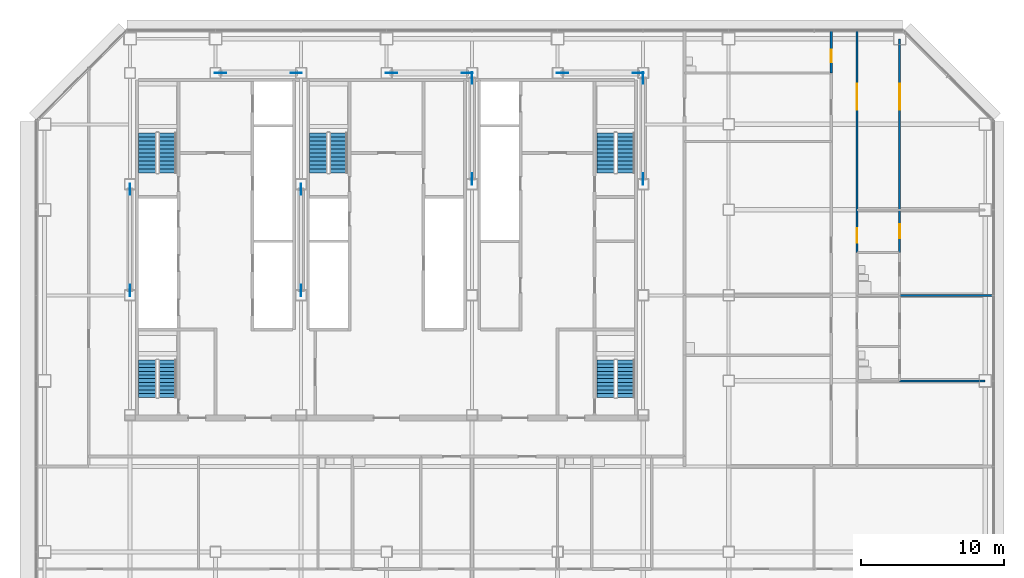
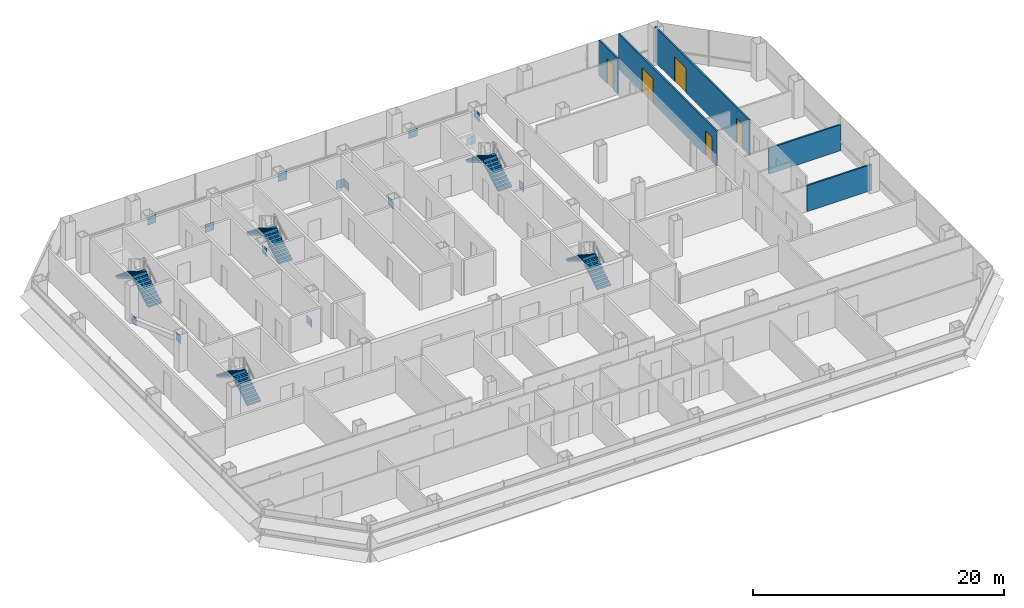
# One storey, part 24 of 26: 14 discrete accessories, 10 stair flights, 5 doors, 5 walls, 5 openings, 5 elements without a shape of their own.
"""IFC4 building model written with IfcOpenShell, lengths in metres."""

import ifcopenshell
import ifcopenshell.guid

model = None  # the IFC model being written
_history = None  # IfcOwnerHistory: only IFC2X3 demands one
_inside = {}  # id of a spatial element -> (the spatial element, [elements in it])
_under = {}  # id of a project, library or spatial element -> (it, [spatial elements below it])
_declared = {}  # id of a project -> (the project, [libraries it declares])
_typed = {}  # id of a type object -> (the type object, [elements of that type])
_made_of = {}  # id of a material, layer set ... -> (it, [elements and type objects made of it])


def new_model(schema):
    """Start an empty IFC model of exactly this schema.

    Asked for "IFC4X3", IfcOpenShell would pick the latest addendum, in which some entities
    have other attributes; the version numbers below select the first issue.
    IFC2X3 requires an IfcOwnerHistory on every rooted entity: one is made here for all.
    """
    global model, _history
    if schema == "IFC4X3":
        model = ifcopenshell.file(schema_version=(4, 3, 0, 0))
    else:
        model = ifcopenshell.file(schema=schema)
    _inside.clear()
    _under.clear()
    _declared.clear()
    _typed.clear()
    _made_of.clear()
    _history = None
    if model.schema == "IFC2X3":
        org = make("IfcOrganization", Name="unknown")
        user = make(
            "IfcPersonAndOrganization",
            ThePerson=make("IfcPerson", FamilyName="unknown"),
            TheOrganization=org,
        )
        app = make(
            "IfcApplication",
            ApplicationDeveloper=org,
            Version="unknown",
            ApplicationFullName="unknown",
            ApplicationIdentifier="unknown",
        )
        _history = make(
            "IfcOwnerHistory",
            OwningUser=user,
            OwningApplication=app,
            ChangeAction="ADDED",
            CreationDate=0,
        )
    return model


def make(cls, **values):
    """One entity of the class cls with the attributes given. An attribute that is None is left unset."""
    return model.create_entity(
        cls, **{name: value for name, value in values.items() if value is not None}
    )


def rooted(cls, **values):
    """An entity with a GlobalId (a new one), such as an element, a storey or a relation."""
    return make(cls, GlobalId=ifcopenshell.guid.new(), OwnerHistory=_history, **values)


def si_unit(unit_type, name, prefix=None):
    """IfcSIUnit, for example si_unit("LENGTHUNIT", "METRE", prefix="MILLI")."""
    return make("IfcSIUnit", UnitType=unit_type, Prefix=prefix, Name=name)


def assignment(units):
    """IfcUnitAssignment: the units of a project."""
    return None if units is None else make("IfcUnitAssignment", Units=units)


def point(xyz):
    """IfcCartesianPoint."""
    return None if xyz is None else make("IfcCartesianPoint", Coordinates=xyz)


def direction(xyz):
    """IfcDirection."""
    return None if xyz is None else make("IfcDirection", DirectionRatios=xyz)


def frame(location, z_axis=None, x_axis=None):
    """IfcAxis2Placement3D, a coordinate frame: its origin and axes. An axis left out is left unset."""
    return make(
        "IfcAxis2Placement3D",
        Location=point(location),
        Axis=direction(z_axis),
        RefDirection=direction(x_axis),
    )


def frame_2d(location, x_axis=None):
    """IfcAxis2Placement2D, a coordinate frame in the plane: its origin and x axis."""
    return make(
        "IfcAxis2Placement2D", Location=point(location), RefDirection=direction(x_axis)
    )


def origin():
    """The frame at (0, 0, 0) with its axes left unset."""
    return frame((0.0, 0.0, 0.0))


def origin_2d():
    """The frame at (0, 0) in the plane with its x axis left unset."""
    return frame_2d((0.0, 0.0))


def place(relative_to, where):
    """IfcLocalPlacement: puts the frame where relative to a parent placement (None: the world)."""
    return make(
        "IfcLocalPlacement", PlacementRelTo=relative_to, RelativePlacement=where
    )


def context(
    kind, dimensions, precision=None, world=None, true_north=None, identifier=None
):
    """IfcGeometricRepresentationContext, for example the 3D "Model" context."""
    return make(
        "IfcGeometricRepresentationContext",
        ContextIdentifier=identifier,
        ContextType=kind,
        CoordinateSpaceDimension=dimensions,
        Precision=precision,
        WorldCoordinateSystem=world,
        TrueNorth=true_north,
    )


def subcontext(parent, identifier, kind, view, scale=None):
    """IfcGeometricRepresentationSubContext, for example "Body" below "Model"."""
    return make(
        "IfcGeometricRepresentationSubContext",
        ContextIdentifier=identifier,
        ContextType=kind,
        ParentContext=parent,
        TargetScale=scale,
        TargetView=view,
    )


def project(units=None, contexts=None):
    """IfcProject with its units and contexts."""
    return rooted(
        "IfcProject",
        Name="project",
        RepresentationContexts=contexts,
        UnitsInContext=assignment(units),
    )


def spatial(cls, under=None, at=None, **own):
    """A site, building, storey or space (cls), placed at a placement, below another one or the project."""
    s = rooted(cls, ObjectPlacement=at, **own)
    if under is not None:
        _under.setdefault(under.id(), (under, []))[1].append(s)
    return s


def polyline(points):
    """IfcPolyline through the points."""
    return make("IfcPolyline", Points=[point(p) for p in points])


def profile(cls, at=None, kind="AREA", **sizes):
    """A parametric profile (cls). Its sizes go by their IFC names, for example OverallWidth=200.0."""
    return make(cls, ProfileType=kind, Position=at, **sizes)


def rectangle(**sizes):
    """IfcRectangleProfileDef."""
    return profile("IfcRectangleProfileDef", **sizes)


def outline(outer, holes=None, kind="AREA"):
    """IfcArbitraryClosedProfileDef: a profile drawn as a closed curve; with holes, ...WithVoids."""
    if holes is None:
        return make("IfcArbitraryClosedProfileDef", ProfileType=kind, OuterCurve=outer)
    return make(
        "IfcArbitraryProfileDefWithVoids",
        ProfileType=kind,
        OuterCurve=outer,
        InnerCurves=holes,
    )


def extrude(swept, where, along, depth):
    """IfcExtrudedAreaSolid: the profile swept, set in the frame where, extruded along a direction by depth."""
    return make(
        "IfcExtrudedAreaSolid",
        SweptArea=swept,
        Position=where,
        ExtrudedDirection=direction(along),
        Depth=depth,
    )


def shape(context_of_items, identifier, shape_type, items):
    """IfcShapeRepresentation: the items that make up one representation, for example the "Body"."""
    return make(
        "IfcShapeRepresentation",
        ContextOfItems=context_of_items,
        RepresentationIdentifier=identifier,
        RepresentationType=shape_type,
        Items=items,
    )


def material(Name=None, Category=None):
    """IfcMaterial."""
    return make("IfcMaterial", Name=Name, Category=Category)


def layer(
    of_material, thickness, ventilated=None, Name=None, Category=None, Priority=None
):
    """IfcMaterialLayer: one layer of a wall or slab, of a material (None: an air gap)."""
    return make(
        "IfcMaterialLayer",
        Material=of_material,
        LayerThickness=thickness,
        IsVentilated=ventilated,
        Name=Name,
        Category=Category,
        Priority=Priority,
    )


def layer_set(layers, Name=None):
    """IfcMaterialLayerSet."""
    return make("IfcMaterialLayerSet", MaterialLayers=layers, LayerSetName=Name)


def made_of(thing, what):
    """Note that an element or type object is made of a material, layer set ...; save() writes the relation."""
    if what is not None:
        _made_of.setdefault(what.id(), (what, []))[1].append(thing)
    return thing


def type_object(cls, material=None, **own):
    """A type object (cls), such as IfcWallType, which elements share."""
    return made_of(rooted(cls, **own), material)


def element(
    cls,
    number,
    at=None,
    inside=None,
    cuts=None,
    type_object=None,
    material=None,
    context=None,
    identifier="Body",
    shape_type=None,
    held_by="IfcProductDefinitionShape",
    body=None,
    shapes=None,
    **own,
):
    """One element of the class cls, such as IfcWall. Its Tag is "e" and its number.

    at: its placement. inside: the storey or other place that contains it. cuts: it is an
    opening in that element (IfcRelVoidsElement). A single representation is given by context,
    identifier, shape_type and body (its items); several are given by shapes. held_by: the class
    of the entity that holds the representations. save() writes the other relations.
    """
    e = rooted(cls, Tag="e%d" % number, ObjectPlacement=at, **own)
    if body is not None:
        shapes = [shape(context, identifier, shape_type, body)]
    if shapes is not None:
        e.Representation = make(held_by, Representations=shapes)
    if inside is not None:
        _inside.setdefault(inside.id(), (inside, []))[1].append(e)
    if cuts is not None:
        rooted(
            "IfcRelVoidsElement", RelatingBuildingElement=cuts, RelatedOpeningElement=e
        )
    if type_object is not None:
        _typed.setdefault(type_object.id(), (type_object, []))[1].append(e)
    return made_of(e, material)


def fill(opening, filler):
    """IfcRelFillsElement: the door or window that sits in an opening."""
    return rooted(
        "IfcRelFillsElement",
        RelatingOpeningElement=opening,
        RelatedBuildingElement=filler,
    )


def aggregate(whole, parts):
    """IfcRelAggregates: a whole, such as a stair, and the parts it consists of."""
    return rooted("IfcRelAggregates", RelatingObject=whole, RelatedObjects=parts)


def save(model, path):
    """Write the relations noted so far, then the file.

    IfcRelAggregates (storeys below a building ...), IfcRelContainedInSpatialStructure (elements
    in a storey), IfcRelDefinesByType, IfcRelAssociatesMaterial and IfcRelDeclares: one each for
    every whole, place, type object, material and project.
    """
    for whole, parts in _under.values():
        aggregate(whole, parts)
    for where, things in _inside.values():
        rooted(
            "IfcRelContainedInSpatialStructure",
            RelatedElements=things,
            RelatingStructure=where,
        )
    for kind, things in _typed.values():
        rooted("IfcRelDefinesByType", RelatedObjects=things, RelatingType=kind)
    for what, things in _made_of.values():
        rooted("IfcRelAssociatesMaterial", RelatedObjects=things, RelatingMaterial=what)
    for by, libraries in _declared.values():
        rooted("IfcRelDeclares", RelatingContext=by, RelatedDefinitions=libraries)
    model.write(path)


model = new_model("IFC4")

# Units and contexts
model_context = context("Model", 3, precision=1e-05, world=origin(), true_north=direction((0.0, 1.0)))
body_context = subcontext(model_context, "Body", "Model", "MODEL_VIEW")
ifc_project = project(units=[si_unit("LENGTHUNIT", "METRE"), si_unit("AREAUNIT", "SQUARE_METRE"), si_unit("VOLUMEUNIT", "CUBIC_METRE"), si_unit("PLANEANGLEUNIT", "RADIAN"), si_unit("MASSUNIT", "GRAM", prefix="KILO")], contexts=[model_context])

# Site, building, storey
site_placement = place(None, origin())
site = spatial("IfcSite", under=ifc_project, at=site_placement, CompositionType="ELEMENT")
building_placement = place(site_placement, origin())
building = spatial("IfcBuilding", under=site, at=building_placement, Name="Sorahane Residences", CompositionType="ELEMENT")
storey_placement = place(building_placement, frame((0.0, 0.0, 67.800048828125)))
storey = spatial("IfcBuildingStorey", under=building, at=storey_placement, Name="L13", CompositionType="ELEMENT", Elevation=67.800048828125)

# Wall, openings, doors
ifc_material_1 = material(Name="Gypsum board partition on steel studs", Category="steel")
ifc_layer_1 = layer(ifc_material_1, 0.14990234375)
ifc_layer_set_1 = layer_set([ifc_layer_1], Name="Partition 150 EI 90")
wall_type_1 = type_object("IfcWallType", Name="Partition 150 EI 90", PredefinedType="PARTITIONING", material=ifc_layer_set_1)
wall_1_placement = place(storey_placement, frame((57.0, 33.0, 0.0), z_axis=(0.0, 0.0, 1.0), x_axis=(0.0, 1.0, 0.0)))
wall_1 = element("IfcWall", 1, at=wall_1_placement, inside=storey, type_object=wall_type_1, Name="L13 partition", PredefinedType="PARTITIONING", context=body_context, shape_type="SweptSolid", body=[
    extrude(rectangle(XDim=15.60009765625, YDim=0.14990234375, at=frame_2d((7.800048828125, 0.0))), origin(), (0.0, 0.0, 1.0), 3.419921875),
])
opening_1_placement = place(wall_1_placement, frame((0.699951171875, 0.0, 0.0)))
opening_1 = element("IfcOpeningElement", 2, at=opening_1_placement, cuts=wall_1, Name="Opening L13-35", PredefinedType="OPENING", context=body_context, shape_type="SweptSolid", body=[
    extrude(rectangle(XDim=1.0, YDim=2.39990234375, at=frame_2d((0.5, 1.199951171875))), frame((0.0, 0.0849609375, 0.0), z_axis=(0.0, -1.0, 0.0), x_axis=(1.0, 0.0, 0.0)), (0.0, 0.0, 1.0), 0.169921875),
])
opening_2_placement = place(wall_1_placement, frame((10.0400390625, 0.0, 0.0)))
opening_2 = element("IfcOpeningElement", 3, at=opening_2_placement, cuts=wall_1, Name="Opening L13-36", PredefinedType="OPENING", context=body_context, shape_type="SweptSolid", body=[
    extrude(rectangle(XDim=1.800048828125, YDim=2.39990234375, at=frame_2d((0.89990234375, 1.199951171875))), frame((0.0, 0.0849609375, 0.0), z_axis=(0.0, -1.0, 0.0), x_axis=(1.0, 0.0, 0.0)), (0.0, 0.0, 1.0), 0.169921875),
])
ifc_material_2 = material(Name="Timber veneered fire door", Category="wood")
door_type_1 = type_object("IfcDoorType", Name="Double door 1800x2400 FD30", OperationType="NOTDEFINED", PredefinedType="DOOR", material=ifc_material_2)
door_1_placement = place(opening_2_placement, frame((1.800048828125, 0.0, 0.0), z_axis=(0.0, 0.0, 1.0), x_axis=(-1.0, 0.0, 0.0)))
door_1 = element("IfcDoor", 4, at=door_1_placement, inside=storey, type_object=door_type_1, Name="Double door L13-36", OperationType="SINGLE_SWING_RIGHT", OverallHeight=2.39990234375, OverallWidth=1.800048828125, PredefinedType="DOOR", context=body_context, shape_type="SweptSolid", body=[
    extrude(rectangle(XDim=1.800048828125, YDim=2.39990234375, at=frame_2d((0.89990234375, 1.199951171875))), frame((0.0, 0.02490234375, 0.0), z_axis=(0.0, -1.0, 0.0), x_axis=(1.0, 0.0, 0.0)), (0.0, 0.0, 1.0), 0.050048828125),
])
fill(opening_2, door_1)
ifc_material_3 = material(Name="Timber veneered fire door", Category="wood")
door_type_2 = type_object("IfcDoorType", Name="Room door 1000x2400 FD30", OperationType="NOTDEFINED", PredefinedType="DOOR", material=ifc_material_3)
door_2_placement = place(opening_1_placement, frame((1.0, 0.0, 0.0), z_axis=(0.0, 0.0, 1.0), x_axis=(-1.0, 0.0, 0.0)))
door_2 = element("IfcDoor", 5, at=door_2_placement, inside=storey, type_object=door_type_2, Name="Room door L13-35", OperationType="SINGLE_SWING_LEFT", OverallHeight=2.39990234375, OverallWidth=1.0, PredefinedType="DOOR", context=body_context, shape_type="SweptSolid", body=[
    extrude(rectangle(XDim=1.0, YDim=2.39990234375, at=frame_2d((0.5, 1.199951171875))), frame((0.0, 0.02490234375, 0.0), z_axis=(0.0, -1.0, 0.0), x_axis=(1.0, 0.0, 0.0)), (0.0, 0.0, 1.0), 0.050048828125),
])
fill(opening_1, door_2)

wall_2_placement = place(storey_placement, frame((60.0, 33.0, 0.0), z_axis=(0.0, 0.0, 1.0), x_axis=(0.0, 1.0, 0.0)))
wall_2 = element("IfcWall", 6, at=wall_2_placement, inside=storey, type_object=wall_type_1, Name="L13 partition", PredefinedType="PARTITIONING", context=body_context, shape_type="SweptSolid", body=[
    extrude(rectangle(XDim=15.0, YDim=0.14990234375, at=frame_2d((7.5, 0.0))), origin(), (0.0, 0.0, 1.0), 3.419921875),
])
opening_3_placement = place(wall_2_placement, frame((1.0, 0.0, 0.0)))
opening_3 = element("IfcOpeningElement", 7, at=opening_3_placement, cuts=wall_2, Name="Opening L13-39", PredefinedType="OPENING", context=body_context, shape_type="SweptSolid", body=[
    extrude(rectangle(XDim=1.0, YDim=2.39990234375, at=frame_2d((0.5, 1.199951171875))), frame((0.0, 0.0849609375, 0.0), z_axis=(0.0, -1.0, 0.0), x_axis=(1.0, 0.0, 0.0)), (0.0, 0.0, 1.0), 0.169921875),
])
opening_4_placement = place(wall_2_placement, frame((10.0400390625, 0.0, 0.0)))
opening_4 = element("IfcOpeningElement", 8, at=opening_4_placement, cuts=wall_2, Name="Opening L13-41", PredefinedType="OPENING", context=body_context, shape_type="SweptSolid", body=[
    extrude(rectangle(XDim=1.800048828125, YDim=2.39990234375, at=frame_2d((0.89990234375, 1.199951171875))), frame((0.0, 0.0849609375, 0.0), z_axis=(0.0, -1.0, 0.0), x_axis=(1.0, 0.0, 0.0)), (0.0, 0.0, 1.0), 0.169921875),
])
door_3_placement = place(opening_4_placement, frame((1.800048828125, 0.0, 0.0), z_axis=(0.0, 0.0, 1.0), x_axis=(-1.0, 0.0, 0.0)))
door_3 = element("IfcDoor", 9, at=door_3_placement, inside=storey, type_object=door_type_1, Name="Double door L13-41", OperationType="SINGLE_SWING_LEFT", OverallHeight=2.39990234375, OverallWidth=1.800048828125, PredefinedType="DOOR", context=body_context, shape_type="SweptSolid", body=[
    extrude(rectangle(XDim=1.800048828125, YDim=2.39990234375, at=frame_2d((0.89990234375, 1.199951171875))), frame((0.0, 0.02490234375, 0.0), z_axis=(0.0, -1.0, 0.0), x_axis=(1.0, 0.0, 0.0)), (0.0, 0.0, 1.0), 0.050048828125),
])
fill(opening_4, door_3)
door_4_placement = place(opening_3_placement, frame((1.0, 0.0, 0.0), z_axis=(0.0, 0.0, 1.0), x_axis=(-1.0, 0.0, 0.0)))
door_4 = element("IfcDoor", 10, at=door_4_placement, inside=storey, type_object=door_type_2, Name="Room door L13-39", OperationType="SINGLE_SWING_LEFT", OverallHeight=2.39990234375, OverallWidth=1.0, PredefinedType="DOOR", context=body_context, shape_type="SweptSolid", body=[
    extrude(rectangle(XDim=1.0, YDim=2.39990234375, at=frame_2d((0.5, 1.199951171875))), frame((0.0, 0.02490234375, 0.0), z_axis=(0.0, -1.0, 0.0), x_axis=(1.0, 0.0, 0.0)), (0.0, 0.0, 1.0), 0.050048828125),
])
fill(opening_3, door_4)

# Walls
wall_3_placement = place(storey_placement, frame((60.0, 24.0, 0.0), z_axis=(0.0, 0.0, 1.0), x_axis=(1.0, 0.0, 0.0)))
element("IfcWall", 11, at=wall_3_placement, inside=storey, type_object=wall_type_1, Name="L13 partition", PredefinedType="PARTITIONING", context=body_context, shape_type="SweptSolid", body=[
    extrude(rectangle(XDim=6.0, YDim=0.14990234375, at=frame_2d((3.0, 0.0))), origin(), (0.0, 0.0, 1.0), 2.52001953125),
])
wall_4_placement = place(storey_placement, frame((60.0, 30.0, 0.0), z_axis=(0.0, 0.0, 1.0), x_axis=(1.0, 0.0, 0.0)))
element("IfcWall", 12, at=wall_4_placement, inside=storey, type_object=wall_type_1, Name="L13 partition", PredefinedType="PARTITIONING", context=body_context, shape_type="SweptSolid", body=[
    extrude(rectangle(XDim=6.60009765625, YDim=0.14990234375, at=frame_2d((3.300048828125, 0.0))), origin(), (0.0, 0.0, 1.0), 2.52001953125),
])

# Wall, opening, door
ifc_material_4 = material(Name="Gypsum board partition on steel studs", Category="steel")
ifc_layer_2 = layer(ifc_material_4, 0.14990234375)
ifc_layer_set_2 = layer_set([ifc_layer_2], Name="Wet wall 150 EI 90")
wall_type_2 = type_object("IfcWallType", Name="Wet wall 150 EI 90", PredefinedType="PARTITIONING", material=ifc_layer_set_2)
wall_5_placement = place(storey_placement, frame((55.199951171875, 45.60009765625, 0.0), z_axis=(0.0, 0.0, 1.0), x_axis=(0.0, 1.0, 0.0)))
wall_5 = element("IfcWall", 13, at=wall_5_placement, inside=storey, type_object=wall_type_2, Name="L13 wet wall", PredefinedType="PARTITIONING", context=body_context, shape_type="SweptSolid", body=[
    extrude(rectangle(XDim=3.0, YDim=0.14990234375, at=frame_2d((1.5, 0.0))), origin(), (0.0, 0.0, 1.0), 3.419921875),
])
opening_5_placement = place(wall_5_placement, frame((0.75, 0.0, 0.0)))
opening_5 = element("IfcOpeningElement", 14, at=opening_5_placement, cuts=wall_5, Name="Opening L13-32", PredefinedType="OPENING", context=body_context, shape_type="SweptSolid", body=[
    extrude(rectangle(XDim=0.89990234375, YDim=2.39990234375, at=frame_2d((0.449951171875, 1.199951171875))), frame((0.0, 0.0849609375, 0.0), z_axis=(0.0, -1.0, 0.0), x_axis=(1.0, 0.0, 0.0)), (0.0, 0.0, 1.0), 0.169921875),
])
ifc_material_5 = material(Name="Timber veneered fire door", Category="wood")
door_type_3 = type_object("IfcDoorType", Name="Bathroom door 900x2400 FD30", OperationType="NOTDEFINED", PredefinedType="DOOR", material=ifc_material_5)
door_5_placement = place(opening_5_placement, frame((0.89990234375, 0.0, 0.0), z_axis=(0.0, 0.0, 1.0), x_axis=(-1.0, 0.0, 0.0)))
door_5 = element("IfcDoor", 15, at=door_5_placement, inside=storey, type_object=door_type_3, Name="Bathroom door L13-32", OperationType="SINGLE_SWING_LEFT", OverallHeight=2.39990234375, OverallWidth=0.89990234375, PredefinedType="DOOR", context=body_context, shape_type="SweptSolid", body=[
    extrude(rectangle(XDim=0.89990234375, YDim=2.39990234375, at=frame_2d((0.449951171875, 1.199951171875))), frame((0.0, 0.02490234375, 0.0), z_axis=(0.0, -1.0, 0.0), x_axis=(1.0, 0.0, 0.0)), (0.0, 0.0, 1.0), 0.050048828125),
])
fill(opening_5, door_5)

# Stair, stair flights
ifc_material_6 = material(Name="Concrete C40", Category="concrete")
stair_type = type_object("IfcStairType", Name="Dog-leg stair 1250 Concrete C40", PredefinedType="HALF_TURN_STAIR", material=ifc_material_6)
stair_1_placement = place(storey_placement, origin())
stair_1 = element("IfcStair", 16, at=stair_1_placement, inside=storey, type_object=stair_type, Name="L13 Stair S1", PredefinedType="HALF_TURN_STAIR")
ifc_material_7 = material(Name="Concrete C40", Category="concrete")
stair_flight_type = type_object("IfcStairFlightType", Name="Stair flight 1250 Concrete C40", PredefinedType="STRAIGHT", material=ifc_material_7)
stair_flight_1_placement = place(storey_placement, frame((8.625, 38.60009765625, 0.0), z_axis=(0.0, 0.0, 1.0), x_axis=(0.0, 1.0, 0.0)))
stair_flight_1 = element("IfcStairFlight", 17, at=stair_flight_1_placement, type_object=stair_flight_type, Name="S1 flight 1", NumberOfRisers=11, NumberOfTreads=10, PredefinedType="STRAIGHT", RiserHeight=0.163636364, TreadLength=0.28, context=body_context, shape_type="SweptSolid", body=[
    extrude(outline(polyline([(-0.00146484375, 0.0), (-0.00146484375, 0.16357421875), (0.0, 0.16357421875), (0.280029296875, 0.16357421875), (0.280029296875, 0.327392578125), (0.56005859375, 0.327392578125), (0.56005859375, 0.490966796875), (0.840087890625, 0.490966796875), (0.840087890625, 0.654541015625), (1.1201171875, 0.654541015625), (1.1201171875, 0.818115234375), (1.39990234375, 0.818115234375), (1.39990234375, 0.98193359375), (1.679931640625, 0.98193359375), (1.679931640625, 1.1455078125), (1.9599609375, 1.1455078125), (1.9599609375, 1.30908203125), (2.239990234375, 1.30908203125), (2.239990234375, 1.47265625), (2.52001953125, 1.47265625), (2.52001953125, 1.636474609375), (2.800048828125, 1.636474609375), (2.800048828125, 1.800048828125), (2.800048828125, 1.462646484375), (2.59130859375, 1.3408203125), (2.3828125, 1.218994140625), (2.17431640625, 1.09716796875), (1.965576171875, 0.97509765625), (1.757080078125, 0.853271484375), (1.548583984375, 0.7314453125), (1.340087890625, 0.609375), (1.13134765625, 0.487548828125), (0.9228515625, 0.36572265625), (0.71435546875, 0.243896484375), (0.505615234375, 0.121826171875), (0.297119140625, 0.0), (-0.00146484375, 0.0)])), frame((0.0, 0.625, 0.0), z_axis=(0.0, -1.0, 0.0), x_axis=(1.0, 0.0, 0.0)), (0.0, 0.0, 1.0), 1.25),
])
stair_flight_2_placement = place(storey_placement, frame((7.22509765625, 41.39990234375, 1.800048828125), z_axis=(0.0, 0.0, 1.0), x_axis=(0.0, -1.0, 0.0)))
stair_flight_2 = element("IfcStairFlight", 18, at=stair_flight_2_placement, type_object=stair_flight_type, Name="S1 flight 2", NumberOfRisers=11, NumberOfTreads=10, PredefinedType="STRAIGHT", RiserHeight=0.163636364, TreadLength=0.28, context=body_context, shape_type="SweptSolid", body=[
    extrude(outline(polyline([(0.0, 0.0), (0.0, 0.16357421875), (0.280029296875, 0.16357421875), (0.280029296875, 0.327392578125), (0.56005859375, 0.327392578125), (0.56005859375, 0.490966796875), (0.840087890625, 0.490966796875), (0.840087890625, 0.654541015625), (1.1201171875, 0.654541015625), (1.1201171875, 0.818115234375), (1.39990234375, 0.818115234375), (1.39990234375, 0.98193359375), (1.679931640625, 0.98193359375), (1.679931640625, 1.1455078125), (1.9599609375, 1.1455078125), (1.9599609375, 1.30908203125), (2.239990234375, 1.30908203125), (2.239990234375, 1.47265625), (2.52001953125, 1.47265625), (2.52001953125, 1.636474609375), (2.800048828125, 1.636474609375), (2.800048828125, 1.800048828125), (2.801513671875, 1.800048828125), (2.801513671875, 1.462646484375), (2.5927734375, 1.3408203125), (2.384033203125, 1.218994140625), (2.17529296875, 1.09716796875), (1.966796875, 0.97509765625), (1.758056640625, 0.853271484375), (1.54931640625, 0.7314453125), (1.340576171875, 0.609375), (1.1318359375, 0.487548828125), (0.923095703125, 0.36572265625), (0.714599609375, 0.243896484375), (0.505859375, 0.121826171875), (0.297119140625, 0.0), (0.0, 0.0)])), frame((0.0, 0.625, 0.0), z_axis=(0.0, -1.0, 0.0), x_axis=(1.0, 0.0, 0.0)), (0.0, 0.0, 1.0), 1.25),
])
aggregate(stair_1, [stair_flight_1, stair_flight_2])

stair_2_placement = place(storey_placement, origin())
stair_2 = element("IfcStair", 19, at=stair_2_placement, inside=storey, type_object=stair_type, Name="L13 Stair S2", PredefinedType="HALF_TURN_STAIR")
stair_flight_3_placement = place(storey_placement, frame((40.77490234375, 38.60009765625, 0.0), z_axis=(0.0, 0.0, 1.0), x_axis=(0.0, 1.0, 0.0)))
stair_flight_3 = element("IfcStairFlight", 20, at=stair_flight_3_placement, type_object=stair_flight_type, Name="S2 flight 1", NumberOfRisers=11, NumberOfTreads=10, PredefinedType="STRAIGHT", RiserHeight=0.163636364, TreadLength=0.28, context=body_context, shape_type="SweptSolid", body=[
    extrude(outline(polyline([(-0.00146484375, 0.0), (-0.00146484375, 0.16357421875), (0.0, 0.16357421875), (0.280029296875, 0.16357421875), (0.280029296875, 0.327392578125), (0.56005859375, 0.327392578125), (0.56005859375, 0.490966796875), (0.840087890625, 0.490966796875), (0.840087890625, 0.654541015625), (1.1201171875, 0.654541015625), (1.1201171875, 0.818115234375), (1.39990234375, 0.818115234375), (1.39990234375, 0.98193359375), (1.679931640625, 0.98193359375), (1.679931640625, 1.1455078125), (1.9599609375, 1.1455078125), (1.9599609375, 1.30908203125), (2.239990234375, 1.30908203125), (2.239990234375, 1.47265625), (2.52001953125, 1.47265625), (2.52001953125, 1.636474609375), (2.800048828125, 1.636474609375), (2.800048828125, 1.800048828125), (2.800048828125, 1.462646484375), (2.59130859375, 1.3408203125), (2.3828125, 1.218994140625), (2.17431640625, 1.09716796875), (1.965576171875, 0.97509765625), (1.757080078125, 0.853271484375), (1.548583984375, 0.7314453125), (1.340087890625, 0.609375), (1.13134765625, 0.487548828125), (0.9228515625, 0.36572265625), (0.71435546875, 0.243896484375), (0.505615234375, 0.121826171875), (0.297119140625, 0.0), (-0.00146484375, 0.0)])), frame((0.0, 0.625, 0.0), z_axis=(0.0, -1.0, 0.0), x_axis=(1.0, 0.0, 0.0)), (0.0, 0.0, 1.0), 1.25),
])
stair_flight_4_placement = place(storey_placement, frame((39.375, 41.39990234375, 1.800048828125), z_axis=(0.0, 0.0, 1.0), x_axis=(0.0, -1.0, 0.0)))
stair_flight_4 = element("IfcStairFlight", 21, at=stair_flight_4_placement, type_object=stair_flight_type, Name="S2 flight 2", NumberOfRisers=11, NumberOfTreads=10, PredefinedType="STRAIGHT", RiserHeight=0.163636364, TreadLength=0.28, context=body_context, shape_type="SweptSolid", body=[
    extrude(outline(polyline([(0.0, 0.0), (0.0, 0.16357421875), (0.280029296875, 0.16357421875), (0.280029296875, 0.327392578125), (0.56005859375, 0.327392578125), (0.56005859375, 0.490966796875), (0.840087890625, 0.490966796875), (0.840087890625, 0.654541015625), (1.1201171875, 0.654541015625), (1.1201171875, 0.818115234375), (1.39990234375, 0.818115234375), (1.39990234375, 0.98193359375), (1.679931640625, 0.98193359375), (1.679931640625, 1.1455078125), (1.9599609375, 1.1455078125), (1.9599609375, 1.30908203125), (2.239990234375, 1.30908203125), (2.239990234375, 1.47265625), (2.52001953125, 1.47265625), (2.52001953125, 1.636474609375), (2.800048828125, 1.636474609375), (2.800048828125, 1.800048828125), (2.801513671875, 1.800048828125), (2.801513671875, 1.462646484375), (2.5927734375, 1.3408203125), (2.384033203125, 1.218994140625), (2.17529296875, 1.09716796875), (1.966796875, 0.97509765625), (1.758056640625, 0.853271484375), (1.54931640625, 0.7314453125), (1.340576171875, 0.609375), (1.1318359375, 0.487548828125), (0.923095703125, 0.36572265625), (0.714599609375, 0.243896484375), (0.505859375, 0.121826171875), (0.297119140625, 0.0), (0.0, 0.0)])), frame((0.0, 0.625, 0.0), z_axis=(0.0, -1.0, 0.0), x_axis=(1.0, 0.0, 0.0)), (0.0, 0.0, 1.0), 1.25),
])
aggregate(stair_2, [stair_flight_3, stair_flight_4])

stair_3_placement = place(storey_placement, origin())
stair_3 = element("IfcStair", 22, at=stair_3_placement, inside=storey, type_object=stair_type, Name="L13 Stair S3", PredefinedType="HALF_TURN_STAIR")
stair_flight_5_placement = place(storey_placement, frame((20.625, 38.60009765625, 0.0), z_axis=(0.0, 0.0, 1.0), x_axis=(0.0, 1.0, 0.0)))
stair_flight_5 = element("IfcStairFlight", 23, at=stair_flight_5_placement, type_object=stair_flight_type, Name="S3 flight 1", NumberOfRisers=11, NumberOfTreads=10, PredefinedType="STRAIGHT", RiserHeight=0.163636364, TreadLength=0.28, context=body_context, shape_type="SweptSolid", body=[
    extrude(outline(polyline([(-0.00146484375, 0.0), (-0.00146484375, 0.16357421875), (0.0, 0.16357421875), (0.280029296875, 0.16357421875), (0.280029296875, 0.327392578125), (0.56005859375, 0.327392578125), (0.56005859375, 0.490966796875), (0.840087890625, 0.490966796875), (0.840087890625, 0.654541015625), (1.1201171875, 0.654541015625), (1.1201171875, 0.818115234375), (1.39990234375, 0.818115234375), (1.39990234375, 0.98193359375), (1.679931640625, 0.98193359375), (1.679931640625, 1.1455078125), (1.9599609375, 1.1455078125), (1.9599609375, 1.30908203125), (2.239990234375, 1.30908203125), (2.239990234375, 1.47265625), (2.52001953125, 1.47265625), (2.52001953125, 1.636474609375), (2.800048828125, 1.636474609375), (2.800048828125, 1.800048828125), (2.800048828125, 1.462646484375), (2.59130859375, 1.3408203125), (2.3828125, 1.218994140625), (2.17431640625, 1.09716796875), (1.965576171875, 0.97509765625), (1.757080078125, 0.853271484375), (1.548583984375, 0.7314453125), (1.340087890625, 0.609375), (1.13134765625, 0.487548828125), (0.9228515625, 0.36572265625), (0.71435546875, 0.243896484375), (0.505615234375, 0.121826171875), (0.297119140625, 0.0), (-0.00146484375, 0.0)])), frame((0.0, 0.625, 0.0), z_axis=(0.0, -1.0, 0.0), x_axis=(1.0, 0.0, 0.0)), (0.0, 0.0, 1.0), 1.25),
])
stair_flight_6_placement = place(storey_placement, frame((19.22509765625, 41.39990234375, 1.800048828125), z_axis=(0.0, 0.0, 1.0), x_axis=(0.0, -1.0, 0.0)))
stair_flight_6 = element("IfcStairFlight", 24, at=stair_flight_6_placement, type_object=stair_flight_type, Name="S3 flight 2", NumberOfRisers=11, NumberOfTreads=10, PredefinedType="STRAIGHT", RiserHeight=0.163636364, TreadLength=0.28, context=body_context, shape_type="SweptSolid", body=[
    extrude(outline(polyline([(0.0, 0.0), (0.0, 0.16357421875), (0.280029296875, 0.16357421875), (0.280029296875, 0.327392578125), (0.56005859375, 0.327392578125), (0.56005859375, 0.490966796875), (0.840087890625, 0.490966796875), (0.840087890625, 0.654541015625), (1.1201171875, 0.654541015625), (1.1201171875, 0.818115234375), (1.39990234375, 0.818115234375), (1.39990234375, 0.98193359375), (1.679931640625, 0.98193359375), (1.679931640625, 1.1455078125), (1.9599609375, 1.1455078125), (1.9599609375, 1.30908203125), (2.239990234375, 1.30908203125), (2.239990234375, 1.47265625), (2.52001953125, 1.47265625), (2.52001953125, 1.636474609375), (2.800048828125, 1.636474609375), (2.800048828125, 1.800048828125), (2.801513671875, 1.800048828125), (2.801513671875, 1.462646484375), (2.5927734375, 1.3408203125), (2.384033203125, 1.218994140625), (2.17529296875, 1.09716796875), (1.966796875, 0.97509765625), (1.758056640625, 0.853271484375), (1.54931640625, 0.7314453125), (1.340576171875, 0.609375), (1.1318359375, 0.487548828125), (0.923095703125, 0.36572265625), (0.714599609375, 0.243896484375), (0.505859375, 0.121826171875), (0.297119140625, 0.0), (0.0, 0.0)])), frame((0.0, 0.625, 0.0), z_axis=(0.0, -1.0, 0.0), x_axis=(1.0, 0.0, 0.0)), (0.0, 0.0, 1.0), 1.25),
])
aggregate(stair_3, [stair_flight_5, stair_flight_6])

stair_4_placement = place(storey_placement, origin())
stair_4 = element("IfcStair", 25, at=stair_4_placement, inside=storey, type_object=stair_type, Name="L13 Stair S4", PredefinedType="HALF_TURN_STAIR")
stair_flight_7_placement = place(storey_placement, frame((8.625, 22.85009765625, 0.0), z_axis=(0.0, 0.0, 1.0), x_axis=(0.0, 1.0, 0.0)))
stair_flight_7 = element("IfcStairFlight", 26, at=stair_flight_7_placement, type_object=stair_flight_type, Name="S4 flight 1", NumberOfRisers=11, NumberOfTreads=10, PredefinedType="STRAIGHT", RiserHeight=0.163636364, TreadLength=0.26, context=body_context, shape_type="SweptSolid", body=[
    extrude(outline(polyline([(-0.00146484375, 0.0), (-0.00146484375, 0.16357421875), (0.0, 0.16357421875), (0.260009765625, 0.16357421875), (0.260009765625, 0.327392578125), (0.52001953125, 0.327392578125), (0.52001953125, 0.490966796875), (0.780029296875, 0.490966796875), (0.780029296875, 0.654541015625), (1.0400390625, 0.654541015625), (1.0400390625, 0.818115234375), (1.300048828125, 0.818115234375), (1.300048828125, 0.98193359375), (1.56005859375, 0.98193359375), (1.56005859375, 1.1455078125), (1.820068359375, 1.1455078125), (1.820068359375, 1.30908203125), (2.080078125, 1.30908203125), (2.080078125, 1.47265625), (2.340087890625, 1.47265625), (2.340087890625, 1.636474609375), (2.60009765625, 1.636474609375), (2.60009765625, 1.800048828125), (2.60009765625, 1.494384765625), (2.402099609375, 1.369873046875), (2.204345703125, 1.245361328125), (2.00634765625, 1.120849609375), (1.80859375, 0.996337890625), (1.610595703125, 0.871826171875), (1.412841796875, 0.747314453125), (1.21484375, 0.622802734375), (1.01708984375, 0.498046875), (0.819091796875, 0.37353515625), (0.621337890625, 0.2490234375), (0.42333984375, 0.12451171875), (0.2255859375, 0.0), (-0.00146484375, 0.0)])), frame((0.0, 0.625, 0.0), z_axis=(0.0, -1.0, 0.0), x_axis=(1.0, 0.0, 0.0)), (0.0, 0.0, 1.0), 1.25),
])
stair_flight_8_placement = place(storey_placement, frame((7.22509765625, 25.449951171875, 1.800048828125), z_axis=(0.0, 0.0, 1.0), x_axis=(0.0, -1.0, 0.0)))
stair_flight_8 = element("IfcStairFlight", 27, at=stair_flight_8_placement, type_object=stair_flight_type, Name="S4 flight 2", NumberOfRisers=11, NumberOfTreads=10, PredefinedType="STRAIGHT", RiserHeight=0.163636364, TreadLength=0.26, context=body_context, shape_type="SweptSolid", body=[
    extrude(outline(polyline([(0.0, 0.0), (0.0, 0.16357421875), (0.260009765625, 0.16357421875), (0.260009765625, 0.327392578125), (0.52001953125, 0.327392578125), (0.52001953125, 0.490966796875), (0.780029296875, 0.490966796875), (0.780029296875, 0.654541015625), (1.0400390625, 0.654541015625), (1.0400390625, 0.818115234375), (1.300048828125, 0.818115234375), (1.300048828125, 0.98193359375), (1.56005859375, 0.98193359375), (1.56005859375, 1.1455078125), (1.820068359375, 1.1455078125), (1.820068359375, 1.30908203125), (2.080078125, 1.30908203125), (2.080078125, 1.47265625), (2.340087890625, 1.47265625), (2.340087890625, 1.636474609375), (2.60009765625, 1.636474609375), (2.60009765625, 1.800048828125), (2.6015625, 1.800048828125), (2.6015625, 1.494384765625), (2.403564453125, 1.369873046875), (2.20556640625, 1.245361328125), (2.007568359375, 1.120849609375), (1.8095703125, 0.996337890625), (1.611572265625, 0.871826171875), (1.41357421875, 0.747314453125), (1.215576171875, 0.622802734375), (1.017578125, 0.498046875), (0.819580078125, 0.37353515625), (0.62158203125, 0.2490234375), (0.423583984375, 0.12451171875), (0.2255859375, 0.0), (0.0, 0.0)])), frame((0.0, 0.625, 0.0), z_axis=(0.0, -1.0, 0.0), x_axis=(1.0, 0.0, 0.0)), (0.0, 0.0, 1.0), 1.25),
])
aggregate(stair_4, [stair_flight_7, stair_flight_8])

stair_5_placement = place(storey_placement, origin())
stair_5 = element("IfcStair", 28, at=stair_5_placement, inside=storey, type_object=stair_type, Name="L13 Stair S5", PredefinedType="HALF_TURN_STAIR")
stair_flight_9_placement = place(storey_placement, frame((40.77490234375, 22.85009765625, 0.0), z_axis=(0.0, 0.0, 1.0), x_axis=(0.0, 1.0, 0.0)))
stair_flight_9 = element("IfcStairFlight", 29, at=stair_flight_9_placement, type_object=stair_flight_type, Name="S5 flight 1", NumberOfRisers=11, NumberOfTreads=10, PredefinedType="STRAIGHT", RiserHeight=0.163636364, TreadLength=0.26, context=body_context, shape_type="SweptSolid", body=[
    extrude(outline(polyline([(-0.00146484375, 0.0), (-0.00146484375, 0.16357421875), (0.0, 0.16357421875), (0.260009765625, 0.16357421875), (0.260009765625, 0.327392578125), (0.52001953125, 0.327392578125), (0.52001953125, 0.490966796875), (0.780029296875, 0.490966796875), (0.780029296875, 0.654541015625), (1.0400390625, 0.654541015625), (1.0400390625, 0.818115234375), (1.300048828125, 0.818115234375), (1.300048828125, 0.98193359375), (1.56005859375, 0.98193359375), (1.56005859375, 1.1455078125), (1.820068359375, 1.1455078125), (1.820068359375, 1.30908203125), (2.080078125, 1.30908203125), (2.080078125, 1.47265625), (2.340087890625, 1.47265625), (2.340087890625, 1.636474609375), (2.60009765625, 1.636474609375), (2.60009765625, 1.800048828125), (2.60009765625, 1.494384765625), (2.402099609375, 1.369873046875), (2.204345703125, 1.245361328125), (2.00634765625, 1.120849609375), (1.80859375, 0.996337890625), (1.610595703125, 0.871826171875), (1.412841796875, 0.747314453125), (1.21484375, 0.622802734375), (1.01708984375, 0.498046875), (0.819091796875, 0.37353515625), (0.621337890625, 0.2490234375), (0.42333984375, 0.12451171875), (0.2255859375, 0.0), (-0.00146484375, 0.0)])), frame((0.0, 0.625, 0.0), z_axis=(0.0, -1.0, 0.0), x_axis=(1.0, 0.0, 0.0)), (0.0, 0.0, 1.0), 1.25),
])
stair_flight_10_placement = place(storey_placement, frame((39.375, 25.449951171875, 1.800048828125), z_axis=(0.0, 0.0, 1.0), x_axis=(0.0, -1.0, 0.0)))
stair_flight_10 = element("IfcStairFlight", 30, at=stair_flight_10_placement, type_object=stair_flight_type, Name="S5 flight 2", NumberOfRisers=11, NumberOfTreads=10, PredefinedType="STRAIGHT", RiserHeight=0.163636364, TreadLength=0.26, context=body_context, shape_type="SweptSolid", body=[
    extrude(outline(polyline([(0.0, 0.0), (0.0, 0.16357421875), (0.260009765625, 0.16357421875), (0.260009765625, 0.327392578125), (0.52001953125, 0.327392578125), (0.52001953125, 0.490966796875), (0.780029296875, 0.490966796875), (0.780029296875, 0.654541015625), (1.0400390625, 0.654541015625), (1.0400390625, 0.818115234375), (1.300048828125, 0.818115234375), (1.300048828125, 0.98193359375), (1.56005859375, 0.98193359375), (1.56005859375, 1.1455078125), (1.820068359375, 1.1455078125), (1.820068359375, 1.30908203125), (2.080078125, 1.30908203125), (2.080078125, 1.47265625), (2.340087890625, 1.47265625), (2.340087890625, 1.636474609375), (2.60009765625, 1.636474609375), (2.60009765625, 1.800048828125), (2.6015625, 1.800048828125), (2.6015625, 1.494384765625), (2.403564453125, 1.369873046875), (2.20556640625, 1.245361328125), (2.007568359375, 1.120849609375), (1.8095703125, 0.996337890625), (1.611572265625, 0.871826171875), (1.41357421875, 0.747314453125), (1.215576171875, 0.622802734375), (1.017578125, 0.498046875), (0.819580078125, 0.37353515625), (0.62158203125, 0.2490234375), (0.423583984375, 0.12451171875), (0.2255859375, 0.0), (0.0, 0.0)])), frame((0.0, 0.625, 0.0), z_axis=(0.0, -1.0, 0.0), x_axis=(1.0, 0.0, 0.0)), (0.0, 0.0, 1.0), 1.25),
])
aggregate(stair_5, [stair_flight_9, stair_flight_10])

# Discrete accessories
ifc_material_8 = material(Name="Steel Q355B", Category="steel")
ifc_layer_3 = layer(ifc_material_8, 0.02490234375)
ifc_layer_set_3 = layer_set([ifc_layer_3], Name="Node plate Steel Q355B 25")
discrete_accessory_type = type_object("IfcDiscreteAccessoryType", Name="Node plate Steel Q355B 25", PredefinedType="BRACKET", material=ifc_layer_set_3)
for number, where, z_axis, x_axis, name in (
    (31, (6.0, 37.44580078125, -0.19140625), (0.0, 0.0, 1.0), (0.0, 1.0, 0.0), "Node plate L13 br"),
    (32, (6.0, 30.354248046875, 2.361328125), (0.0, 0.0, 1.0), (0.0, 1.0, 0.0), "Node plate L13 br"),
    (33, (18.0, 30.354248046875, -0.19140625), (0.0, 0.0, 1.0), (0.0, 1.0, 0.0), "Node plate L13 br"),
    (34, (18.0, 37.44580078125, 2.361328125), (0.0, 0.0, 1.0), (0.0, 1.0, 0.0), "Node plate L13 br"),
    (35, (30.0, 45.24560546875, -0.19140625), (0.0, 0.0, 1.0), (0.0, 1.0, 0.0), "Node plate L13 br"),
    (36, (30.0, 38.154296875, 2.361328125), (0.0, 0.0, 1.0), (0.0, 1.0, 0.0), "Node plate L13 br"),
    (37, (42.0, 38.154296875, -0.19140625), (0.0, 0.0, 1.0), (0.0, 1.0, 0.0), "Node plate L13 br"),
    (38, (42.0, 45.24560546875, 2.361328125), (0.0, 0.0, 1.0), (0.0, 1.0, 0.0), "Node plate L13 br"),
    (39, (17.658935546875, 45.60009765625, -0.20361328125), (0.0, 0.0, 1.0), (1.0, 0.0, 0.0), "Node plate L13 br"),
    (40, (29.658935546875, 45.60009765625, -0.20361328125), (0.0, 0.0, 1.0), (1.0, 0.0, 0.0), "Node plate L13 br"),
    (41, (41.658935546875, 45.60009765625, -0.20361328125), (0.0, 0.0, 1.0), (1.0, 0.0, 0.0), "Node plate L13 br"),
    (42, (12.341064453125, 45.60009765625, 2.37353515625), (0.0, 0.0, 1.0), (1.0, 0.0, 0.0), "Node plate L13 br"),
    (43, (24.341064453125, 45.60009765625, 2.37353515625), (0.0, 0.0, 1.0), (1.0, 0.0, 0.0), "Node plate L13 br"),
    (44, (36.341064453125, 45.60009765625, 2.37353515625), (0.0, 0.0, 1.0), (1.0, 0.0, 0.0), "Node plate L13 br"),
):
    element("IfcDiscreteAccessory", number, at=place(storey_placement, frame(where, z_axis=z_axis, x_axis=x_axis)), inside=storey, type_object=discrete_accessory_type, Name=name, PredefinedType="BRACKET", context=body_context, shape_type="SweptSolid", body=[
        extrude(rectangle(XDim=0.800048828125, YDim=0.02490234375, at=origin_2d()), origin(), (0.0, 0.0, 1.0), 0.800048828125),
    ])

save(model, "model.ifc")
